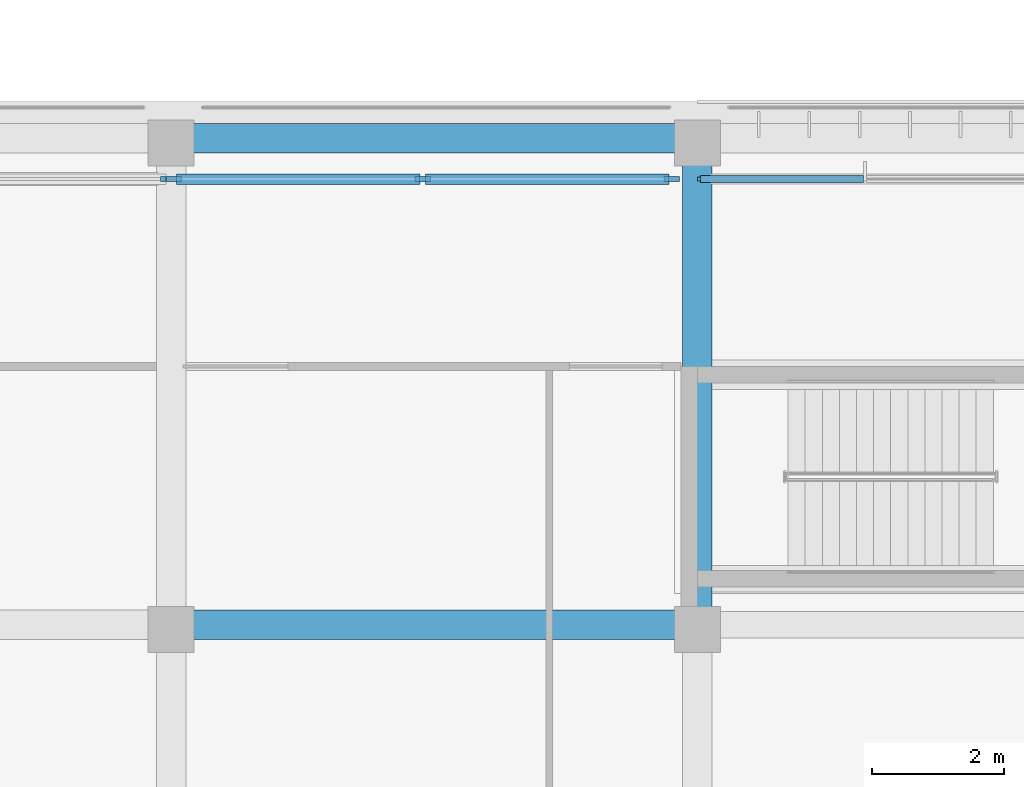
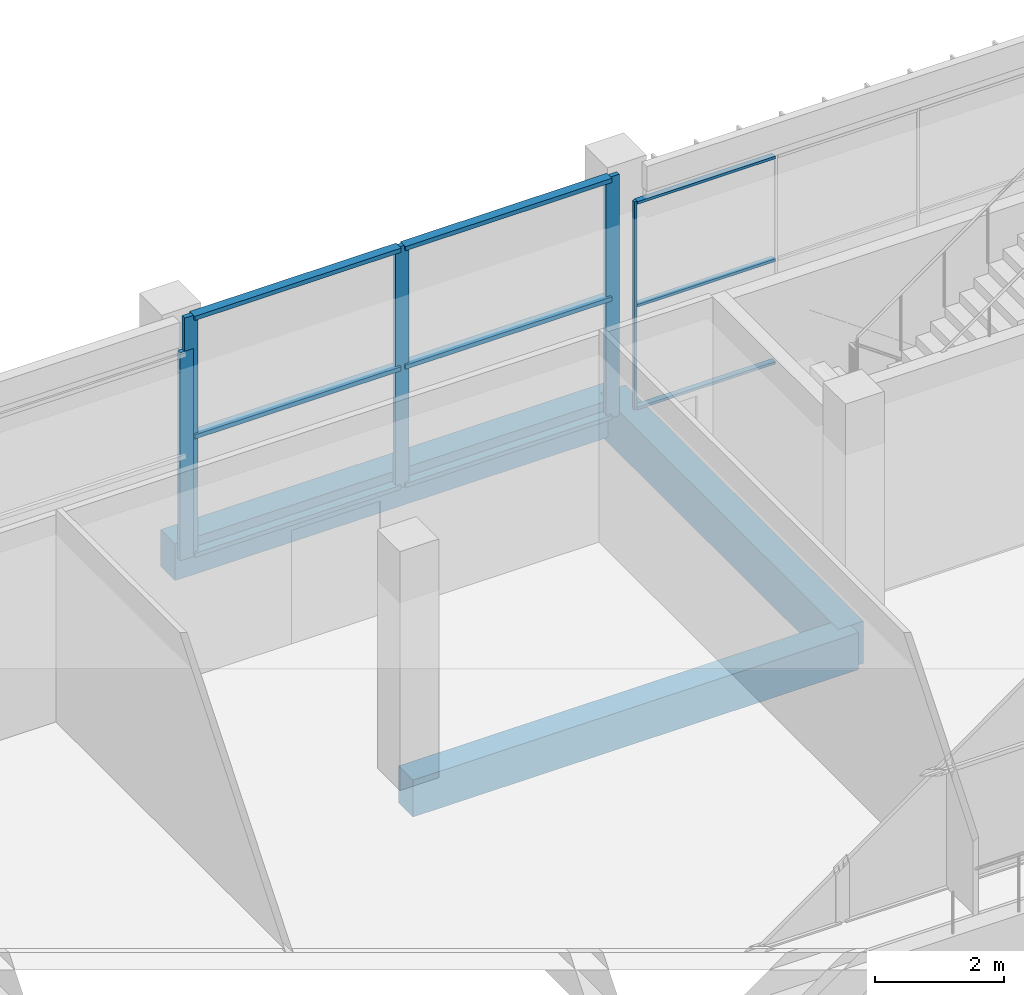
# One storey, part 11 of 46: 14 members, 3 beams, 3 elements without a shape of their own.
"""IFC4 building model written with IfcOpenShell, lengths in metres."""

from ifc_helpers import new_model, si_unit, direction, frame, origin, origin_2d, place, context, subcontext, project, spatial, rectangle, extrude, material, material_profile, profile_set, type_object, element, aggregate, save


model = new_model("IFC4")

# Units and contexts
model_context = context("Model", 3, precision=1e-05, world=origin(), true_north=direction((0.0, 1.0)))
body_context = subcontext(model_context, "Body", "Model", "MODEL_VIEW")
ifc_project = project(units=[si_unit("LENGTHUNIT", "METRE"), si_unit("AREAUNIT", "SQUARE_METRE"), si_unit("VOLUMEUNIT", "CUBIC_METRE"), si_unit("PLANEANGLEUNIT", "RADIAN"), si_unit("MASSUNIT", "GRAM", prefix="KILO")], contexts=[model_context])

# Site, building, storey
site_placement = place(None, origin())
site = spatial("IfcSite", under=ifc_project, at=site_placement, CompositionType="ELEMENT")
building_placement = place(site_placement, origin())
building = spatial("IfcBuilding", under=site, at=building_placement, Name="Lantern Court Media Centre", CompositionType="ELEMENT")
storey_placement = place(building_placement, frame((0.0, 0.0, 28.800048828125)))
storey = spatial("IfcBuildingStorey", under=building, at=storey_placement, Name="L06", CompositionType="ELEMENT", Elevation=28.800048828125)

# Curtain wall, member
ifc_material_1 = material(Name="Curtain wall bay 2400")
curtain_wall_type_1 = type_object("IfcCurtainWallType", Name="Curtain wall bay 2400", PredefinedType="NOTDEFINED", material=ifc_material_1)
curtain_wall_1_placement = place(storey_placement, origin())
curtain_wall_1 = element("IfcCurtainWall", 1, at=curtain_wall_1_placement, inside=storey, type_object=curtain_wall_type_1, Name="Curtain wall S inner L06", PredefinedType="NOTDEFINED")
ifc_material_2 = material(Name="Anodised aluminium", Category="aluminium")
ifc_material_profile_1 = material_profile(ifc_material_2, rectangle(XDim=0.06005859375, YDim=0.050048828125, at=origin_2d()), Name="AL 50x60")
ifc_profile_set_1 = profile_set([ifc_material_profile_1], Name="Anodised aluminium")
member_type_1 = type_object("IfcMemberType", Name="Curtain wall mullion 50x60", PredefinedType="MULLION", material=ifc_profile_set_1)
member_1_placement = place(storey_placement, frame((64.02490234375, 56.85009765625, 0.0), z_axis=(0.0, 0.0, 1.0), x_axis=(0.0, 1.0, 0.0)))
member_1 = element("IfcMember", 2, at=member_1_placement, type_object=member_type_1, Name="CW2 mullion 1", PredefinedType="MULLION", context=body_context, shape_type="SweptSolid", body=[
    extrude(rectangle(XDim=0.06005859375, YDim=0.050048828125, at=origin_2d()), origin(), (0.0, 0.0, 1.0), 3.949951171875),
])

ifc_material_3 = material(Name="Curtain wall bay 4000")
curtain_wall_type_2 = type_object("IfcCurtainWallType", Name="Curtain wall bay 4000", PredefinedType="NOTDEFINED", material=ifc_material_3)
curtain_wall_2_placement = place(storey_placement, origin())
curtain_wall_2 = element("IfcCurtainWall", 3, at=curtain_wall_2_placement, inside=storey, type_object=curtain_wall_type_2, Name="Curtain wall S inner L06", PredefinedType="NOTDEFINED")
ifc_material_profile_2 = material_profile(ifc_material_2, rectangle(XDim=0.080078125, YDim=0.239990234375, at=origin_2d()), Name="AL 80x240")
ifc_profile_set_2 = profile_set([ifc_material_profile_2], Name="Anodised aluminium")
member_type_2 = type_object("IfcMemberType", Name="Curtain wall mullion 80x240", PredefinedType="MULLION", material=ifc_profile_set_2)
member_2_placement = place(storey_placement, frame((55.9599609375, 56.85009765625, 0.0), z_axis=(0.0, 0.0, 1.0), x_axis=(0.0, 1.0, 0.0)))
member_2 = element("IfcMember", 4, at=member_2_placement, type_object=member_type_2, Name="CW3 mullion 3", PredefinedType="MULLION", context=body_context, shape_type="SweptSolid", body=[
    extrude(rectangle(XDim=0.080078125, YDim=0.239990234375, at=origin_2d()), origin(), (0.0, 0.0, 1.0), 3.949951171875),
])
aggregate(curtain_wall_2, [member_2])

# Curtain wall, members
curtain_wall_3_placement = place(storey_placement, origin())
curtain_wall_3 = element("IfcCurtainWall", 5, at=curtain_wall_3_placement, inside=storey, type_object=curtain_wall_type_2, Name="Curtain wall S inner L06", PredefinedType="NOTDEFINED")
member_3_placement = place(storey_placement, frame((56.0400390625, 56.85009765625, 0.0), z_axis=(0.0, 0.0, 1.0), x_axis=(0.0, 1.0, 0.0)))
member_3 = element("IfcMember", 6, at=member_3_placement, type_object=member_type_2, Name="CW3 mullion 1", PredefinedType="MULLION", context=body_context, shape_type="SweptSolid", body=[
    extrude(rectangle(XDim=0.080078125, YDim=0.239990234375, at=origin_2d()), origin(), (0.0, 0.0, 1.0), 4.579833984375),
])
member_4_placement = place(storey_placement, frame((59.824951171875, 56.85009765625, 0.0), z_axis=(0.0, 0.0, 1.0), x_axis=(0.0, 1.0, 0.0)))
member_4 = element("IfcMember", 7, at=member_4_placement, type_object=member_type_2, Name="CW3 mullion 2", PredefinedType="MULLION", context=body_context, shape_type="SweptSolid", body=[
    extrude(rectangle(XDim=0.080078125, YDim=0.239990234375, at=origin_2d()), origin(), (0.0, 0.0, 1.0), 4.579833984375),
])
member_5_placement = place(storey_placement, frame((63.610107421875, 56.85009765625, 0.0), z_axis=(0.0, 0.0, 1.0), x_axis=(0.0, 1.0, 0.0)))
member_5 = element("IfcMember", 8, at=member_5_placement, type_object=member_type_2, Name="CW3 mullion 3", PredefinedType="MULLION", context=body_context, shape_type="SweptSolid", body=[
    extrude(rectangle(XDim=0.080078125, YDim=0.239990234375, at=origin_2d()), origin(), (0.0, 0.0, 1.0), 4.579833984375),
])

# Member
ifc_material_profile_3 = material_profile(ifc_material_2, rectangle(XDim=0.10009765625, YDim=0.050048828125, at=origin_2d()), Name="AL 50x100")
ifc_profile_set_3 = profile_set([ifc_material_profile_3], Name="Anodised aluminium")
member_type_3 = type_object("IfcMemberType", Name="Curtain wall transom 100x50", PredefinedType="USERDEFINED", material=ifc_profile_set_3)
member_6_placement = place(storey_placement, frame((64.050048828125, 56.85009765625, 0.02490234375), z_axis=(1.0, 0.0, 0.0), x_axis=(0.0, 1.0, 0.0)))
member_6 = element("IfcMember", 9, at=member_6_placement, type_object=member_type_3, Name="CW2 transom 1.1", ObjectType="TRANSOM", PredefinedType="USERDEFINED", context=body_context, shape_type="SweptSolid", body=[
    extrude(rectangle(XDim=0.10009765625, YDim=0.050048828125, at=origin_2d()), origin(), (0.0, 0.0, 1.0), 2.474853515625),
])

member_7_placement = place(storey_placement, frame((64.050048828125, 56.85009765625, 1.974853515625), z_axis=(1.0, 0.0, 0.0), x_axis=(0.0, 1.0, 0.0)))
member_7 = element("IfcMember", 10, at=member_7_placement, type_object=member_type_3, Name="CW2 transom 1.2", ObjectType="TRANSOM", PredefinedType="USERDEFINED", context=body_context, shape_type="SweptSolid", body=[
    extrude(rectangle(XDim=0.10009765625, YDim=0.050048828125, at=origin_2d()), origin(), (0.0, 0.0, 1.0), 2.474853515625),
])

member_8_placement = place(storey_placement, frame((64.050048828125, 56.85009765625, 3.925048828125), z_axis=(1.0, 0.0, 0.0), x_axis=(0.0, 1.0, 0.0)))
member_8 = element("IfcMember", 11, at=member_8_placement, type_object=member_type_3, Name="CW2 transom 1.3", ObjectType="TRANSOM", PredefinedType="USERDEFINED", context=body_context, shape_type="SweptSolid", body=[
    extrude(rectangle(XDim=0.10009765625, YDim=0.050048828125, at=origin_2d()), origin(), (0.0, 0.0, 1.0), 2.474853515625),
])

aggregate(curtain_wall_1, [member_1, member_6, member_7, member_8])

ifc_material_profile_4 = material_profile(ifc_material_2, rectangle(XDim=0.159912109375, YDim=0.080078125, at=origin_2d()), Name="AL 80x160")
ifc_profile_set_4 = profile_set([ifc_material_profile_4], Name="Anodised aluminium")
member_type_4 = type_object("IfcMemberType", Name="Curtain wall transom 160x80", PredefinedType="USERDEFINED", material=ifc_profile_set_4)
member_9_placement = place(storey_placement, frame((56.080078125, 56.85009765625, 0.0400390625), z_axis=(1.0, 0.0, 0.0), x_axis=(0.0, 1.0, 0.0)))
member_9 = element("IfcMember", 12, at=member_9_placement, type_object=member_type_4, Name="CW3 transom 1.1", ObjectType="TRANSOM", PredefinedType="USERDEFINED", context=body_context, shape_type="SweptSolid", body=[
    extrude(rectangle(XDim=0.159912109375, YDim=0.080078125, at=origin_2d()), origin(), (0.0, 0.0, 1.0), 3.704833984375),
])

member_10_placement = place(storey_placement, frame((56.080078125, 56.85009765625, 2.2900390625), z_axis=(1.0, 0.0, 0.0), x_axis=(0.0, 1.0, 0.0)))
member_10 = element("IfcMember", 13, at=member_10_placement, type_object=member_type_4, Name="CW3 transom 1.2", ObjectType="TRANSOM", PredefinedType="USERDEFINED", context=body_context, shape_type="SweptSolid", body=[
    extrude(rectangle(XDim=0.159912109375, YDim=0.080078125, at=origin_2d()), origin(), (0.0, 0.0, 1.0), 3.704833984375),
])

member_11_placement = place(storey_placement, frame((56.080078125, 56.85009765625, 4.5400390625), z_axis=(1.0, 0.0, 0.0), x_axis=(0.0, 1.0, 0.0)))
member_11 = element("IfcMember", 14, at=member_11_placement, type_object=member_type_4, Name="CW3 transom 1.3", ObjectType="TRANSOM", PredefinedType="USERDEFINED", context=body_context, shape_type="SweptSolid", body=[
    extrude(rectangle(XDim=0.159912109375, YDim=0.080078125, at=origin_2d()), origin(), (0.0, 0.0, 1.0), 3.704833984375),
])

member_12_placement = place(storey_placement, frame((59.864990234375, 56.85009765625, 0.0400390625), z_axis=(1.0, 0.0, 0.0), x_axis=(0.0, 1.0, 0.0)))
member_12 = element("IfcMember", 15, at=member_12_placement, type_object=member_type_4, Name="CW3 transom 2.1", ObjectType="TRANSOM", PredefinedType="USERDEFINED", context=body_context, shape_type="SweptSolid", body=[
    extrude(rectangle(XDim=0.159912109375, YDim=0.080078125, at=origin_2d()), origin(), (0.0, 0.0, 1.0), 3.705078125),
])

member_13_placement = place(storey_placement, frame((59.864990234375, 56.85009765625, 2.2900390625), z_axis=(1.0, 0.0, 0.0), x_axis=(0.0, 1.0, 0.0)))
member_13 = element("IfcMember", 16, at=member_13_placement, type_object=member_type_4, Name="CW3 transom 2.2", ObjectType="TRANSOM", PredefinedType="USERDEFINED", context=body_context, shape_type="SweptSolid", body=[
    extrude(rectangle(XDim=0.159912109375, YDim=0.080078125, at=origin_2d()), origin(), (0.0, 0.0, 1.0), 3.705078125),
])

member_14_placement = place(storey_placement, frame((59.864990234375, 56.85009765625, 4.5400390625), z_axis=(1.0, 0.0, 0.0), x_axis=(0.0, 1.0, 0.0)))
member_14 = element("IfcMember", 17, at=member_14_placement, type_object=member_type_4, Name="CW3 transom 2.3", ObjectType="TRANSOM", PredefinedType="USERDEFINED", context=body_context, shape_type="SweptSolid", body=[
    extrude(rectangle(XDim=0.159912109375, YDim=0.080078125, at=origin_2d()), origin(), (0.0, 0.0, 1.0), 3.705078125),
])

aggregate(curtain_wall_3, [member_3, member_4, member_5, member_9, member_10, member_11, member_12, member_13, member_14])

# Beams
ifc_material_4 = material(Name="Concrete C35", Category="concrete")
ifc_material_profile_5 = material_profile(ifc_material_4, rectangle(XDim=0.449951171875, YDim=0.699951171875, at=origin_2d()), Name="RC 450x700")
ifc_profile_set_5 = profile_set([ifc_material_profile_5], Name="Concrete C35")
beam_type_1 = type_object("IfcBeamType", Name="RC BEAM 450x700", PredefinedType="BEAM", material=ifc_profile_set_5)
for number, where, z_axis, x_axis, name in (
    (18, (56.0, 50.072998046875, -0.35009765625), (1.0, 0.0, 0.0), (0.0, 1.0, 0.0), "LB-S-L06-1-4"),
    (19, (56.0, 57.472900390625, -0.35009765625), (1.0, 0.0, 0.0), (0.0, 1.0, 0.0), "LB-S-L06-2-4"),
):
    element("IfcBeam", number, at=place(storey_placement, frame(where, z_axis=z_axis, x_axis=x_axis)), inside=storey, type_object=beam_type_1, Name=name, PredefinedType="BEAM", context=body_context, shape_type="SweptSolid", body=[
        extrude(rectangle(XDim=0.449951171875, YDim=0.699951171875, at=origin_2d()), origin(), (0.0, 0.0, 1.0), 8.0),
    ])
ifc_material_profile_6 = material_profile(ifc_material_4, rectangle(XDim=0.449951171875, YDim=0.800048828125, at=origin_2d()), Name="RC 450x800")
ifc_profile_set_6 = profile_set([ifc_material_profile_6], Name="Concrete C35")
beam_type_2 = type_object("IfcBeamType", Name="RC BEAM 450x800", PredefinedType="BEAM", material=ifc_profile_set_6)
beam_placement = place(storey_placement, frame((64.0, 50.083251953125, -0.400146484375), z_axis=(0.0, 1.0, 0.0), x_axis=(-1.0, 0.0, 0.0)))
element("IfcBeam", 20, at=beam_placement, inside=storey, type_object=beam_type_2, Name="TB-S-L06-5-2", PredefinedType="BEAM", context=body_context, shape_type="SweptSolid", body=[
    extrude(rectangle(XDim=0.449951171875, YDim=0.800048828125, at=origin_2d()), origin(), (0.0, 0.0, 1.0), 7.400146484375),
])

save(model, "model.ifc")
